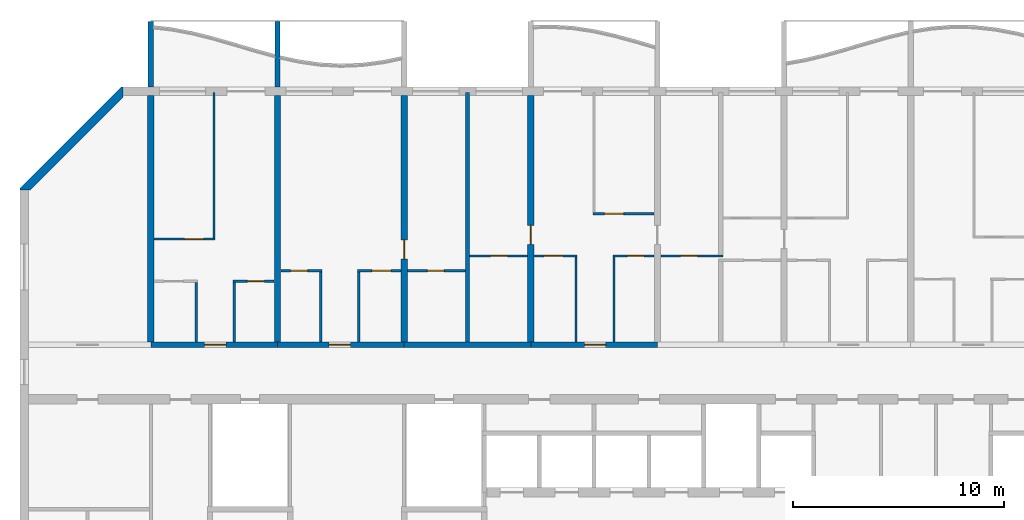
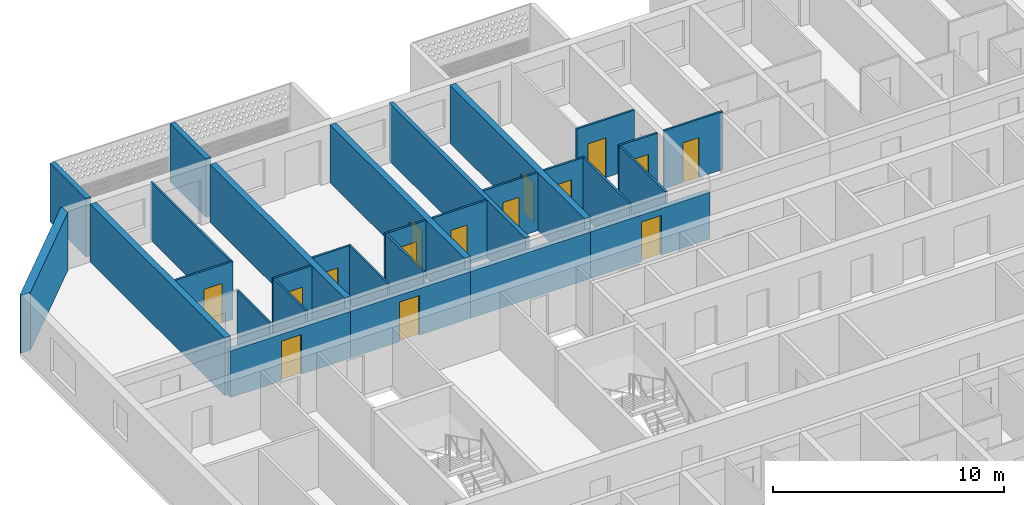
# One storey, part 8 of 31: 29 walls, 15 doors, 15 openings.
"""IFC4 building model written with IfcOpenShell, lengths in metres."""

from ifc_helpers import new_model, si_unit, direction, frame, frame_2d, origin, place, context, subcontext, project, spatial, polyline, rectangle, outline, extrude, source, transform, mapped, material, layer, layer_set, type_object, element, fill, save


model = new_model("IFC4")

# Units and contexts
model_context = context("Model", 3, precision=1e-05, world=origin(), true_north=direction((0.0, 1.0)))
body_context = subcontext(model_context, "Body", "Model", "MODEL_VIEW")
ifc_project = project(units=[si_unit("LENGTHUNIT", "METRE"), si_unit("AREAUNIT", "SQUARE_METRE"), si_unit("VOLUMEUNIT", "CUBIC_METRE"), si_unit("PLANEANGLEUNIT", "RADIAN"), si_unit("MASSUNIT", "GRAM", prefix="KILO")], contexts=[model_context])

# Site, building, storey
site_placement = place(None, origin())
site = spatial("IfcSite", under=ifc_project, at=site_placement, CompositionType="ELEMENT")
building_placement = place(site_placement, origin())
building = spatial("IfcBuilding", under=site, at=building_placement, Name="Poui Terraces", CompositionType="ELEMENT")
storey_placement = place(building_placement, frame((0.0, 0.0, 145.5)))
storey = spatial("IfcBuildingStorey", under=building, at=storey_placement, Name="L40", CompositionType="ELEMENT", Elevation=145.5)

# Wall, opening, door
ifc_material_1 = material(Name="Concrete 65 MPa", Category="concrete")
ifc_layer_1 = layer(ifc_material_1, 0.25)
ifc_layer_set_1 = layer_set([ifc_layer_1], Name="Concrete 65 MPa")
wall_type_1 = type_object("IfcWallType", Name="CORRIDOR WALL 250 65MPa", PredefinedType="SHEAR", material=ifc_layer_set_1)
wall_1_placement = place(storey_placement, frame((18.0, 30.39990234375, 0.0), z_axis=(0.0, 0.0, 1.0), x_axis=(1.0, 0.0, 0.0)))
wall_1 = element("IfcWall", 1, at=wall_1_placement, inside=storey, type_object=wall_type_1, Name="CORRIDOR WALL LINE E BAY 2", PredefinedType="SHEAR", context=body_context, shape_type="SweptSolid", body=[
    extrude(rectangle(XDim=6.0, YDim=0.25, at=frame_2d((3.0, 0.0))), origin(), (0.0, 0.0, 1.0), 2.469970703125),
])
opening_1_placement = place(wall_1_placement, frame((2.550048828125, 0.0, 0.0)))
opening_1 = element("IfcOpeningElement", 2, at=opening_1_placement, cuts=wall_1, Name="Opening FD30S", PredefinedType="OPENING", context=body_context, shape_type="SweptSolid", body=[
    extrude(rectangle(XDim=1.0, YDim=2.10009765625, at=frame_2d((0.5, 1.050048828125))), frame((0.0, 0.135009765625, 0.0), z_axis=(0.0, -1.0, 0.0), x_axis=(1.0, 0.0, 0.0)), (0.0, 0.0, 1.0), 0.27001953125),
])
ifc_material_2 = material(Name="Steel fire door", Category="steel")
door_type_1 = type_object("IfcDoorType", Name="FLAT ENTRANCE DOOR 1000 X 2100", OperationType="NOTDEFINED", PredefinedType="DOOR", material=ifc_material_2)
door_1_placement = place(opening_1_placement, origin())
door_1 = element("IfcDoor", 3, at=door_1_placement, inside=storey, type_object=door_type_1, Name="FLAT ENTRANCE DOOR 035", OperationType="SINGLE_SWING_RIGHT", OverallHeight=2.10009765625, OverallWidth=1.0, PredefinedType="DOOR", context=body_context, shape_type="SweptSolid", body=[
    extrude(rectangle(XDim=1.0, YDim=2.10009765625, at=frame_2d((0.5, 1.050048828125))), frame((0.0, 0.02490234375, 0.0), z_axis=(0.0, -1.0, 0.0), x_axis=(1.0, 0.0, 0.0)), (0.0, 0.0, 1.0), 0.050048828125),
])
fill(opening_1, door_1)

wall_2_placement = place(storey_placement, frame((24.0, 30.39990234375, 0.0), z_axis=(0.0, 0.0, 1.0), x_axis=(1.0, 0.0, 0.0)))
wall_2 = element("IfcWall", 4, at=wall_2_placement, inside=storey, type_object=wall_type_1, Name="CORRIDOR WALL LINE E BAY 3", PredefinedType="SHEAR", context=body_context, shape_type="SweptSolid", body=[
    extrude(rectangle(XDim=6.0, YDim=0.25, at=frame_2d((3.0, 0.0))), origin(), (0.0, 0.0, 1.0), 2.469970703125),
])
opening_2_placement = place(wall_2_placement, frame((2.449951171875, 0.0, 0.0)))
opening_2 = element("IfcOpeningElement", 5, at=opening_2_placement, cuts=wall_2, Name="Opening FD30S", PredefinedType="OPENING", context=body_context, shape_type="SweptSolid", body=[
    extrude(rectangle(XDim=1.0, YDim=2.10009765625, at=frame_2d((0.5, 1.050048828125))), frame((0.0, 0.135009765625, 0.0), z_axis=(0.0, -1.0, 0.0), x_axis=(1.0, 0.0, 0.0)), (0.0, 0.0, 1.0), 0.27001953125),
])
door_2_placement = place(opening_2_placement, origin())
door_2 = element("IfcDoor", 6, at=door_2_placement, inside=storey, type_object=door_type_1, Name="FLAT ENTRANCE DOOR 039", OperationType="SINGLE_SWING_LEFT", OverallHeight=2.10009765625, OverallWidth=1.0, PredefinedType="DOOR", context=body_context, shape_type="SweptSolid", body=[
    extrude(rectangle(XDim=1.0, YDim=2.10009765625, at=frame_2d((0.5, 1.050048828125))), frame((0.0, 0.02490234375, 0.0), z_axis=(0.0, -1.0, 0.0), x_axis=(1.0, 0.0, 0.0)), (0.0, 0.0, 1.0), 0.050048828125),
])
fill(opening_2, door_2)

# Wall
wall_3_placement = place(storey_placement, frame((30.0, 30.39990234375, 0.0), z_axis=(0.0, 0.0, 1.0), x_axis=(1.0, 0.0, 0.0)))
element("IfcWall", 7, at=wall_3_placement, inside=storey, type_object=wall_type_1, Name="CORRIDOR WALL LINE E BAY 4", PredefinedType="SHEAR", context=body_context, shape_type="SweptSolid", body=[
    extrude(rectangle(XDim=6.0, YDim=0.25, at=frame_2d((3.0, 0.0))), origin(), (0.0, 0.0, 1.0), 2.469970703125),
])

# Wall, opening, door
wall_4_placement = place(storey_placement, frame((36.0, 30.39990234375, 0.0), z_axis=(0.0, 0.0, 1.0), x_axis=(1.0, 0.0, 0.0)))
wall_4 = element("IfcWall", 8, at=wall_4_placement, inside=storey, type_object=wall_type_1, Name="CORRIDOR WALL LINE E BAY 5", PredefinedType="SHEAR", context=body_context, shape_type="SweptSolid", body=[
    extrude(rectangle(XDim=6.0, YDim=0.25, at=frame_2d((3.0, 0.0))), origin(), (0.0, 0.0, 1.0), 2.469970703125),
])
opening_3_placement = place(wall_4_placement, frame((2.550048828125, 0.0, 0.0)))
opening_3 = element("IfcOpeningElement", 9, at=opening_3_placement, cuts=wall_4, Name="Opening FD30S", PredefinedType="OPENING", context=body_context, shape_type="SweptSolid", body=[
    extrude(rectangle(XDim=1.0, YDim=2.10009765625, at=frame_2d((0.5, 1.050048828125))), frame((0.0, 0.135009765625, 0.0), z_axis=(0.0, -1.0, 0.0), x_axis=(1.0, 0.0, 0.0)), (0.0, 0.0, 1.0), 0.27001953125),
])
door_3_placement = place(opening_3_placement, origin())
door_3 = element("IfcDoor", 10, at=door_3_placement, inside=storey, type_object=door_type_1, Name="FLAT ENTRANCE DOOR 046", OperationType="SINGLE_SWING_RIGHT", OverallHeight=2.10009765625, OverallWidth=1.0, PredefinedType="DOOR", context=body_context, shape_type="SweptSolid", body=[
    extrude(rectangle(XDim=1.0, YDim=2.10009765625, at=frame_2d((0.5, 1.050048828125))), frame((0.0, 0.02490234375, 0.0), z_axis=(0.0, -1.0, 0.0), x_axis=(1.0, 0.0, 0.0)), (0.0, 0.0, 1.0), 0.050048828125),
])
fill(opening_3, door_3)

# Walls
ifc_layer_2 = layer(ifc_material_1, 0.300048828125)
ifc_layer_set_2 = layer_set([ifc_layer_2], Name="Concrete 65 MPa")
wall_type_2 = type_object("IfcWallType", Name="CROSS WALL 300 65MPa", PredefinedType="SHEAR", material=ifc_layer_set_2)
for number, where, z_axis, x_axis, name in (
    (11, (18.0, 30.52490234375, 0.0), (0.0, 0.0, 1.0), (0.0, 1.0, 0.0), "CROSS WALL LINE 4 NORTH"),
    (12, (24.0, 30.52490234375, 0.0), (0.0, 0.0, 1.0), (0.0, 1.0, 0.0), "CROSS WALL LINE 5 NORTH"),
):
    element("IfcWall", number, at=place(storey_placement, frame(where, z_axis=z_axis, x_axis=x_axis)), inside=storey, type_object=wall_type_2, Name=name, PredefinedType="SHEAR", context=body_context, shape_type="SweptSolid", body=[
        extrude(rectangle(XDim=11.675048828125, YDim=0.300048828125, at=frame_2d((5.83740234375, 0.0))), origin(), (0.0, 0.0, 1.0), 3.070068359375),
    ])

# Wall, opening, door
wall_5_placement = place(storey_placement, frame((30.0, 30.52490234375, 0.0), z_axis=(0.0, 0.0, 1.0), x_axis=(0.0, 1.0, 0.0)))
wall_5 = element("IfcWall", 13, at=wall_5_placement, inside=storey, type_object=wall_type_2, Name="CROSS WALL LINE 6 NORTH", PredefinedType="SHEAR", context=body_context, shape_type="SweptSolid", body=[
    extrude(rectangle(XDim=11.675048828125, YDim=0.300048828125, at=frame_2d((5.83740234375, 0.0))), origin(), (0.0, 0.0, 1.0), 3.070068359375),
])
opening_4_placement = place(wall_5_placement, frame((3.925048828125, 0.0, 0.0)))
opening_4 = element("IfcOpeningElement", 14, at=opening_4_placement, cuts=wall_5, Name="Opening D90", PredefinedType="OPENING", context=body_context, shape_type="SweptSolid", body=[
    extrude(rectangle(XDim=0.89990234375, YDim=2.10009765625, at=frame_2d((0.449951171875, 1.050048828125))), frame((0.0, 0.16015625, 0.0), z_axis=(0.0, -1.0, 0.0), x_axis=(1.0, 0.0, 0.0)), (0.0, 0.0, 1.0), 0.320068359375),
])
ifc_material_3 = material(Name="Solid core timber door", Category="wood")
door_type_2 = type_object("IfcDoorType", Name="INTERNAL DOOR 900 X 2100", OperationType="NOTDEFINED", PredefinedType="DOOR", material=ifc_material_3)
door_4_placement = place(opening_4_placement, frame((0.89990234375, 0.0, 0.0), z_axis=(0.0, 0.0, 1.0), x_axis=(-1.0, 0.0, 0.0)))
door_4 = element("IfcDoor", 15, at=door_4_placement, inside=storey, type_object=door_type_2, Name="INTERNAL DOOR 041", OperationType="SINGLE_SWING_RIGHT", OverallHeight=2.10009765625, OverallWidth=0.89990234375, PredefinedType="DOOR", context=body_context, shape_type="SweptSolid", body=[
    extrude(rectangle(XDim=0.89990234375, YDim=2.10009765625, at=frame_2d((0.449951171875, 1.050048828125))), frame((0.0, 0.02490234375, 0.0), z_axis=(0.0, -1.0, 0.0), x_axis=(1.0, 0.0, 0.0)), (0.0, 0.0, 1.0), 0.050048828125),
])
fill(opening_4, door_4)

wall_6_placement = place(storey_placement, frame((36.0, 30.52490234375, 0.0), z_axis=(0.0, 0.0, 1.0), x_axis=(0.0, 1.0, 0.0)))
wall_6 = element("IfcWall", 16, at=wall_6_placement, inside=storey, type_object=wall_type_2, Name="CROSS WALL LINE 7 NORTH", PredefinedType="SHEAR", context=body_context, shape_type="SweptSolid", body=[
    extrude(rectangle(XDim=11.675048828125, YDim=0.300048828125, at=frame_2d((5.83740234375, 0.0))), origin(), (0.0, 0.0, 1.0), 3.070068359375),
])
opening_5_placement = place(wall_6_placement, frame((4.625, 0.0, 0.0)))
opening_5 = element("IfcOpeningElement", 17, at=opening_5_placement, cuts=wall_6, Name="Opening D90", PredefinedType="OPENING", context=body_context, shape_type="SweptSolid", body=[
    extrude(rectangle(XDim=0.89990234375, YDim=2.10009765625, at=frame_2d((0.449951171875, 1.050048828125))), frame((0.0, 0.16015625, 0.0), z_axis=(0.0, -1.0, 0.0), x_axis=(1.0, 0.0, 0.0)), (0.0, 0.0, 1.0), 0.320068359375),
])
door_5_placement = place(opening_5_placement, origin())
door_5 = element("IfcDoor", 18, at=door_5_placement, inside=storey, type_object=door_type_2, Name="INTERNAL DOOR 044", OperationType="SINGLE_SWING_LEFT", OverallHeight=2.10009765625, OverallWidth=0.89990234375, PredefinedType="DOOR", context=body_context, shape_type="SweptSolid", body=[
    extrude(rectangle(XDim=0.89990234375, YDim=2.10009765625, at=frame_2d((0.449951171875, 1.050048828125))), frame((0.0, 0.02490234375, 0.0), z_axis=(0.0, -1.0, 0.0), x_axis=(1.0, 0.0, 0.0)), (0.0, 0.0, 1.0), 0.050048828125),
])
fill(opening_5, door_5)

ifc_material_4 = material(Name="Plasterboard partition")
ifc_layer_3 = layer(ifc_material_4, 0.10009765625)
ifc_layer_set_3 = layer_set([ifc_layer_3], Name="Plasterboard partition")
wall_type_3 = type_object("IfcWallType", Name="FLAT PARTITION 100", PredefinedType="PARTITIONING", material=ifc_layer_set_3)
wall_7_placement = place(storey_placement, frame((21.89990234375, 33.39990234375, 0.0), z_axis=(0.0, 0.0, 1.0), x_axis=(1.0, 0.0, 0.0)))
wall_7 = element("IfcWall", 19, at=wall_7_placement, inside=storey, type_object=wall_type_3, Name="FLAT PARTITION 100", PredefinedType="PARTITIONING", context=body_context, shape_type="SweptSolid", body=[
    extrude(rectangle(XDim=1.940185546875, YDim=0.10009765625, at=frame_2d((0.97021484375, 0.0))), origin(), (0.0, 0.0, 1.0), 3.070068359375),
])
opening_6_placement = place(wall_7_placement, frame((0.675048828125, 0.0, 0.0)))
opening_6 = element("IfcOpeningElement", 20, at=opening_6_placement, cuts=wall_7, Name="Opening D80", PredefinedType="OPENING", context=body_context, shape_type="SweptSolid", body=[
    extrude(rectangle(XDim=0.800048828125, YDim=2.10009765625, at=frame_2d((0.39990234375, 1.050048828125))), frame((0.0, 0.06005859375, 0.0), z_axis=(0.0, -1.0, 0.0), x_axis=(1.0, 0.0, 0.0)), (0.0, 0.0, 1.0), 0.1201171875),
])
door_type_3 = type_object("IfcDoorType", Name="BATHROOM, LAUNDRY AND STORE DOOR 800 X 2100", OperationType="NOTDEFINED", PredefinedType="DOOR", material=ifc_material_3)
door_6_placement = place(opening_6_placement, frame((0.800048828125, 0.0, 0.0), z_axis=(0.0, 0.0, 1.0), x_axis=(-1.0, 0.0, 0.0)))
door_6 = element("IfcDoor", 21, at=door_6_placement, inside=storey, type_object=door_type_3, Name="BATHROOM, LAUNDRY AND STORE DOOR 036", OperationType="SINGLE_SWING_RIGHT", OverallHeight=2.10009765625, OverallWidth=0.800048828125, PredefinedType="DOOR", context=body_context, shape_type="SweptSolid", body=[
    extrude(rectangle(XDim=0.800048828125, YDim=2.10009765625, at=frame_2d((0.39990234375, 1.050048828125))), frame((0.0, 0.02490234375, 0.0), z_axis=(0.0, -1.0, 0.0), x_axis=(1.0, 0.0, 0.0)), (0.0, 0.0, 1.0), 0.050048828125),
])
fill(opening_6, door_6)

wall_8_placement = place(storey_placement, frame((24.159912109375, 33.89990234375, 0.0), z_axis=(0.0, 0.0, 1.0), x_axis=(1.0, 0.0, 0.0)))
wall_8 = element("IfcWall", 22, at=wall_8_placement, inside=storey, type_object=wall_type_3, Name="FLAT PARTITION 100", PredefinedType="PARTITIONING", context=body_context, shape_type="SweptSolid", body=[
    extrude(rectangle(XDim=1.940185546875, YDim=0.10009765625, at=frame_2d((0.97021484375, 0.0))), origin(), (0.0, 0.0, 1.0), 3.070068359375),
])
opening_7_placement = place(wall_8_placement, frame((0.465087890625, 0.0, 0.0)))
opening_7 = element("IfcOpeningElement", 23, at=opening_7_placement, cuts=wall_8, Name="Opening D80", PredefinedType="OPENING", context=body_context, shape_type="SweptSolid", body=[
    extrude(rectangle(XDim=0.800048828125, YDim=2.10009765625, at=frame_2d((0.39990234375, 1.050048828125))), frame((0.0, 0.06005859375, 0.0), z_axis=(0.0, -1.0, 0.0), x_axis=(1.0, 0.0, 0.0)), (0.0, 0.0, 1.0), 0.1201171875),
])
door_7_placement = place(opening_7_placement, frame((0.800048828125, 0.0, 0.0), z_axis=(0.0, 0.0, 1.0), x_axis=(-1.0, 0.0, 0.0)))
door_7 = element("IfcDoor", 24, at=door_7_placement, inside=storey, type_object=door_type_3, Name="BATHROOM, LAUNDRY AND STORE DOOR 038", OperationType="SINGLE_SWING_LEFT", OverallHeight=2.10009765625, OverallWidth=0.800048828125, PredefinedType="DOOR", context=body_context, shape_type="SweptSolid", body=[
    extrude(rectangle(XDim=0.800048828125, YDim=2.10009765625, at=frame_2d((0.39990234375, 1.050048828125))), frame((0.0, 0.02490234375, 0.0), z_axis=(0.0, -1.0, 0.0), x_axis=(1.0, 0.0, 0.0)), (0.0, 0.0, 1.0), 0.050048828125),
])
fill(opening_7, door_7)

wall_9_placement = place(storey_placement, frame((27.800048828125, 33.89990234375, 0.0), z_axis=(0.0, 0.0, 1.0), x_axis=(1.0, 0.0, 0.0)))
wall_9 = element("IfcWall", 25, at=wall_9_placement, inside=storey, type_object=wall_type_3, Name="FLAT PARTITION 100", PredefinedType="PARTITIONING", context=body_context, shape_type="SweptSolid", body=[
    extrude(rectangle(XDim=2.0400390625, YDim=0.10009765625, at=frame_2d((1.02001953125, 0.0))), origin(), (0.0, 0.0, 1.0), 3.070068359375),
])
opening_8_placement = place(wall_9_placement, frame((0.675048828125, 0.0, 0.0)))
opening_8 = element("IfcOpeningElement", 26, at=opening_8_placement, cuts=wall_9, Name="Opening D90", PredefinedType="OPENING", context=body_context, shape_type="SweptSolid", body=[
    extrude(rectangle(XDim=0.89990234375, YDim=2.10009765625, at=frame_2d((0.449951171875, 1.050048828125))), frame((0.0, 0.06005859375, 0.0), z_axis=(0.0, -1.0, 0.0), x_axis=(1.0, 0.0, 0.0)), (0.0, 0.0, 1.0), 0.1201171875),
])
door_8_placement = place(opening_8_placement, frame((0.89990234375, 0.0, 0.0), z_axis=(0.0, 0.0, 1.0), x_axis=(-1.0, 0.0, 0.0)))
door_8 = element("IfcDoor", 27, at=door_8_placement, inside=storey, type_object=door_type_2, Name="INTERNAL DOOR 040", OperationType="SINGLE_SWING_RIGHT", OverallHeight=2.10009765625, OverallWidth=0.89990234375, PredefinedType="DOOR", context=body_context, shape_type="SweptSolid", body=[
    extrude(rectangle(XDim=0.89990234375, YDim=2.10009765625, at=frame_2d((0.449951171875, 1.050048828125))), frame((0.0, 0.02490234375, 0.0), z_axis=(0.0, -1.0, 0.0), x_axis=(1.0, 0.0, 0.0)), (0.0, 0.0, 1.0), 0.050048828125),
])
fill(opening_8, door_8)

wall_10_placement = place(storey_placement, frame((30.159912109375, 33.89990234375, 0.0), z_axis=(0.0, 0.0, 1.0), x_axis=(1.0, 0.0, 0.0)))
wall_10 = element("IfcWall", 28, at=wall_10_placement, inside=storey, type_object=wall_type_3, Name="FLAT PARTITION 100", PredefinedType="PARTITIONING", context=body_context, shape_type="SweptSolid", body=[
    extrude(rectangle(XDim=2.739990234375, YDim=0.10009765625, at=frame_2d((1.3701171875, 0.0))), origin(), (0.0, 0.0, 1.0), 3.070068359375),
])
opening_9_placement = place(wall_10_placement, frame((0.93994140625, 0.0, 0.0)))
opening_9 = element("IfcOpeningElement", 29, at=opening_9_placement, cuts=wall_10, Name="Opening D80", PredefinedType="OPENING", context=body_context, shape_type="SweptSolid", body=[
    extrude(rectangle(XDim=0.800048828125, YDim=2.10009765625, at=frame_2d((0.39990234375, 1.050048828125))), frame((0.0, 0.06005859375, 0.0), z_axis=(0.0, -1.0, 0.0), x_axis=(1.0, 0.0, 0.0)), (0.0, 0.0, 1.0), 0.1201171875),
])
door_9_placement = place(opening_9_placement, frame((0.800048828125, 0.0, 0.0), z_axis=(0.0, 0.0, 1.0), x_axis=(-1.0, 0.0, 0.0)))
door_9 = element("IfcDoor", 30, at=door_9_placement, inside=storey, type_object=door_type_3, Name="BATHROOM, LAUNDRY AND STORE DOOR 037", OperationType="SINGLE_SWING_RIGHT", OverallHeight=2.10009765625, OverallWidth=0.800048828125, PredefinedType="DOOR", context=body_context, shape_type="SweptSolid", body=[
    extrude(rectangle(XDim=0.800048828125, YDim=2.10009765625, at=frame_2d((0.39990234375, 1.050048828125))), frame((0.0, 0.02490234375, 0.0), z_axis=(0.0, -1.0, 0.0), x_axis=(1.0, 0.0, 0.0)), (0.0, 0.0, 1.0), 0.050048828125),
])
fill(opening_9, door_9)

wall_11_placement = place(storey_placement, frame((33.10009765625, 34.60009765625, 0.0), z_axis=(0.0, 0.0, 1.0), x_axis=(1.0, 0.0, 0.0)))
wall_11 = element("IfcWall", 31, at=wall_11_placement, inside=storey, type_object=wall_type_3, Name="FLAT PARTITION 100", PredefinedType="PARTITIONING", context=body_context, shape_type="SweptSolid", body=[
    extrude(rectangle(XDim=2.739990234375, YDim=0.10009765625, at=frame_2d((1.3701171875, 0.0))), origin(), (0.0, 0.0, 1.0), 3.070068359375),
])
opening_10_placement = place(wall_11_placement, frame((1.0, 0.0, 0.0)))
opening_10 = element("IfcOpeningElement", 32, at=opening_10_placement, cuts=wall_11, Name="Opening D80", PredefinedType="OPENING", context=body_context, shape_type="SweptSolid", body=[
    extrude(rectangle(XDim=0.800048828125, YDim=2.10009765625, at=frame_2d((0.39990234375, 1.050048828125))), frame((0.0, 0.06005859375, 0.0), z_axis=(0.0, -1.0, 0.0), x_axis=(1.0, 0.0, 0.0)), (0.0, 0.0, 1.0), 0.1201171875),
])
door_10_placement = place(opening_10_placement, frame((0.800048828125, 0.0, 0.0), z_axis=(0.0, 0.0, 1.0), x_axis=(-1.0, 0.0, 0.0)))
door_10 = element("IfcDoor", 33, at=door_10_placement, inside=storey, type_object=door_type_3, Name="BATHROOM, LAUNDRY AND STORE DOOR 042", OperationType="SINGLE_SWING_LEFT", OverallHeight=2.10009765625, OverallWidth=0.800048828125, PredefinedType="DOOR", context=body_context, shape_type="SweptSolid", body=[
    extrude(rectangle(XDim=0.800048828125, YDim=2.10009765625, at=frame_2d((0.39990234375, 1.050048828125))), frame((0.0, 0.02490234375, 0.0), z_axis=(0.0, -1.0, 0.0), x_axis=(1.0, 0.0, 0.0)), (0.0, 0.0, 1.0), 0.050048828125),
])
fill(opening_10, door_10)

wall_12_placement = place(storey_placement, frame((36.159912109375, 34.60009765625, 0.0), z_axis=(0.0, 0.0, 1.0), x_axis=(1.0, 0.0, 0.0)))
wall_12 = element("IfcWall", 34, at=wall_12_placement, inside=storey, type_object=wall_type_3, Name="FLAT PARTITION 100", PredefinedType="PARTITIONING", context=body_context, shape_type="SweptSolid", body=[
    extrude(rectangle(XDim=2.0400390625, YDim=0.10009765625, at=frame_2d((1.02001953125, 0.0))), origin(), (0.0, 0.0, 1.0), 3.070068359375),
])
opening_11_placement = place(wall_12_placement, frame((0.465087890625, 0.0, 0.0)))
opening_11 = element("IfcOpeningElement", 35, at=opening_11_placement, cuts=wall_12, Name="Opening D90", PredefinedType="OPENING", context=body_context, shape_type="SweptSolid", body=[
    extrude(rectangle(XDim=0.89990234375, YDim=2.10009765625, at=frame_2d((0.449951171875, 1.050048828125))), frame((0.0, 0.06005859375, 0.0), z_axis=(0.0, -1.0, 0.0), x_axis=(1.0, 0.0, 0.0)), (0.0, 0.0, 1.0), 0.1201171875),
])
door_11_placement = place(opening_11_placement, frame((0.89990234375, 0.0, 0.0), z_axis=(0.0, 0.0, 1.0), x_axis=(-1.0, 0.0, 0.0)))
door_11 = element("IfcDoor", 36, at=door_11_placement, inside=storey, type_object=door_type_2, Name="INTERNAL DOOR 045", OperationType="SINGLE_SWING_LEFT", OverallHeight=2.10009765625, OverallWidth=0.89990234375, PredefinedType="DOOR", context=body_context, shape_type="SweptSolid", body=[
    extrude(rectangle(XDim=0.89990234375, YDim=2.10009765625, at=frame_2d((0.449951171875, 1.050048828125))), frame((0.0, 0.02490234375, 0.0), z_axis=(0.0, -1.0, 0.0), x_axis=(1.0, 0.0, 0.0)), (0.0, 0.0, 1.0), 0.050048828125),
])
fill(opening_11, door_11)

wall_13_placement = place(storey_placement, frame((39.89990234375, 34.60009765625, 0.0), z_axis=(0.0, 0.0, 1.0), x_axis=(1.0, 0.0, 0.0)))
wall_13 = element("IfcWall", 37, at=wall_13_placement, inside=storey, type_object=wall_type_3, Name="FLAT PARTITION 100", PredefinedType="PARTITIONING", context=body_context, shape_type="SweptSolid", body=[
    extrude(rectangle(XDim=1.940185546875, YDim=0.10009765625, at=frame_2d((0.97021484375, 0.0))), origin(), (0.0, 0.0, 1.0), 3.070068359375),
])
opening_12_placement = place(wall_13_placement, frame((0.675048828125, 0.0, 0.0)))
opening_12 = element("IfcOpeningElement", 38, at=opening_12_placement, cuts=wall_13, Name="Opening D80", PredefinedType="OPENING", context=body_context, shape_type="SweptSolid", body=[
    extrude(rectangle(XDim=0.800048828125, YDim=2.10009765625, at=frame_2d((0.39990234375, 1.050048828125))), frame((0.0, 0.06005859375, 0.0), z_axis=(0.0, -1.0, 0.0), x_axis=(1.0, 0.0, 0.0)), (0.0, 0.0, 1.0), 0.1201171875),
])
door_12_placement = place(opening_12_placement, frame((0.800048828125, 0.0, 0.0), z_axis=(0.0, 0.0, 1.0), x_axis=(-1.0, 0.0, 0.0)))
door_12 = element("IfcDoor", 39, at=door_12_placement, inside=storey, type_object=door_type_3, Name="BATHROOM, LAUNDRY AND STORE DOOR 048", OperationType="SINGLE_SWING_RIGHT", OverallHeight=2.10009765625, OverallWidth=0.800048828125, PredefinedType="DOOR", context=body_context, shape_type="SweptSolid", body=[
    extrude(rectangle(XDim=0.800048828125, YDim=2.10009765625, at=frame_2d((0.39990234375, 1.050048828125))), frame((0.0, 0.02490234375, 0.0), z_axis=(0.0, -1.0, 0.0), x_axis=(1.0, 0.0, 0.0)), (0.0, 0.0, 1.0), 0.050048828125),
])
fill(opening_12, door_12)

wall_14_placement = place(storey_placement, frame((42.159912109375, 34.60009765625, 0.0), z_axis=(0.0, 0.0, 1.0), x_axis=(1.0, 0.0, 0.0)))
wall_14 = element("IfcWall", 40, at=wall_14_placement, inside=storey, type_object=wall_type_3, Name="FLAT PARTITION 100", PredefinedType="PARTITIONING", context=body_context, shape_type="SweptSolid", body=[
    extrude(rectangle(XDim=2.940185546875, YDim=0.10009765625, at=frame_2d((1.47021484375, 0.0))), origin(), (0.0, 0.0, 1.0), 3.070068359375),
])
opening_13_placement = place(wall_14_placement, frame((0.93994140625, 0.0, 0.0)))
opening_13 = element("IfcOpeningElement", 41, at=opening_13_placement, cuts=wall_14, Name="Opening D80", PredefinedType="OPENING", context=body_context, shape_type="SweptSolid", body=[
    extrude(rectangle(XDim=0.800048828125, YDim=2.10009765625, at=frame_2d((0.39990234375, 1.050048828125))), frame((0.0, 0.06005859375, 0.0), z_axis=(0.0, -1.0, 0.0), x_axis=(1.0, 0.0, 0.0)), (0.0, 0.0, 1.0), 0.1201171875),
])
door_13_placement = place(opening_13_placement, frame((0.800048828125, 0.0, 0.0), z_axis=(0.0, 0.0, 1.0), x_axis=(-1.0, 0.0, 0.0)))
door_13 = element("IfcDoor", 42, at=door_13_placement, inside=storey, type_object=door_type_3, Name="BATHROOM, LAUNDRY AND STORE DOOR 043", OperationType="SINGLE_SWING_LEFT", OverallHeight=2.10009765625, OverallWidth=0.800048828125, PredefinedType="DOOR", context=body_context, shape_type="SweptSolid", body=[
    extrude(rectangle(XDim=0.800048828125, YDim=2.10009765625, at=frame_2d((0.39990234375, 1.050048828125))), frame((0.0, 0.02490234375, 0.0), z_axis=(0.0, -1.0, 0.0), x_axis=(1.0, 0.0, 0.0)), (0.0, 0.0, 1.0), 0.050048828125),
])
fill(opening_13, door_13)

wall_15_placement = place(storey_placement, frame((18.159912109375, 35.39990234375, 0.0), z_axis=(0.0, 0.0, 1.0), x_axis=(1.0, 0.0, 0.0)))
wall_15 = element("IfcWall", 43, at=wall_15_placement, inside=storey, type_object=wall_type_3, Name="FLAT PARTITION 100", PredefinedType="PARTITIONING", context=body_context, shape_type="SweptSolid", body=[
    extrude(rectangle(XDim=2.89013671875, YDim=0.10009765625, at=frame_2d((1.445068359375, 0.0))), origin(), (0.0, 0.0, 1.0), 3.070068359375),
])
opening_14_placement = place(wall_15_placement, frame((1.43994140625, 0.0, 0.0)))
opening_14 = element("IfcOpeningElement", 44, at=opening_14_placement, cuts=wall_15, Name="Opening D90", PredefinedType="OPENING", context=body_context, shape_type="SweptSolid", body=[
    extrude(rectangle(XDim=0.89990234375, YDim=2.10009765625, at=frame_2d((0.449951171875, 1.050048828125))), frame((0.0, 0.06005859375, 0.0), z_axis=(0.0, -1.0, 0.0), x_axis=(1.0, 0.0, 0.0)), (0.0, 0.0, 1.0), 0.1201171875),
])
door_14_placement = place(opening_14_placement, frame((0.89990234375, 0.0, 0.0), z_axis=(0.0, 0.0, 1.0), x_axis=(-1.0, 0.0, 0.0)))
door_14 = element("IfcDoor", 45, at=door_14_placement, inside=storey, type_object=door_type_2, Name="INTERNAL DOOR 034", OperationType="SINGLE_SWING_RIGHT", OverallHeight=2.10009765625, OverallWidth=0.89990234375, PredefinedType="DOOR", context=body_context, shape_type="SweptSolid", body=[
    extrude(rectangle(XDim=0.89990234375, YDim=2.10009765625, at=frame_2d((0.449951171875, 1.050048828125))), frame((0.0, 0.02490234375, 0.0), z_axis=(0.0, -1.0, 0.0), x_axis=(1.0, 0.0, 0.0)), (0.0, 0.0, 1.0), 0.050048828125),
])
fill(opening_14, door_14)

wall_16_placement = place(storey_placement, frame((38.949951171875, 36.60009765625, 0.0), z_axis=(0.0, 0.0, 1.0), x_axis=(1.0, 0.0, 0.0)))
wall_16 = element("IfcWall", 46, at=wall_16_placement, inside=storey, type_object=wall_type_3, Name="FLAT PARTITION 100", PredefinedType="PARTITIONING", context=body_context, shape_type="SweptSolid", body=[
    extrude(rectangle(XDim=2.89013671875, YDim=0.10009765625, at=frame_2d((1.445068359375, 0.0))), origin(), (0.0, 0.0, 1.0), 3.070068359375),
])
opening_15_placement = place(wall_16_placement, frame((0.550048828125, 0.0, 0.0)))
opening_15 = element("IfcOpeningElement", 47, at=opening_15_placement, cuts=wall_16, Name="Opening D90", PredefinedType="OPENING", context=body_context, shape_type="SweptSolid", body=[
    extrude(rectangle(XDim=0.89990234375, YDim=2.10009765625, at=frame_2d((0.449951171875, 1.050048828125))), frame((0.0, 0.06005859375, 0.0), z_axis=(0.0, -1.0, 0.0), x_axis=(1.0, 0.0, 0.0)), (0.0, 0.0, 1.0), 0.1201171875),
])
door_15_placement = place(opening_15_placement, frame((0.89990234375, 0.0, 0.0), z_axis=(0.0, 0.0, 1.0), x_axis=(-1.0, 0.0, 0.0)))
door_15 = element("IfcDoor", 48, at=door_15_placement, inside=storey, type_object=door_type_2, Name="INTERNAL DOOR 047", OperationType="SINGLE_SWING_LEFT", OverallHeight=2.10009765625, OverallWidth=0.89990234375, PredefinedType="DOOR", context=body_context, shape_type="SweptSolid", body=[
    extrude(rectangle(XDim=0.89990234375, YDim=2.10009765625, at=frame_2d((0.449951171875, 1.050048828125))), frame((0.0, 0.02490234375, 0.0), z_axis=(0.0, -1.0, 0.0), x_axis=(1.0, 0.0, 0.0)), (0.0, 0.0, 1.0), 0.050048828125),
])
fill(opening_15, door_15)

# Walls
wall_17_placement = place(storey_placement, frame((20.14990234375, 30.534912109375, 0.0), z_axis=(0.0, 0.0, 1.0), x_axis=(0.0, 1.0, 0.0)))
element("IfcWall", 49, at=wall_17_placement, inside=storey, type_object=wall_type_3, Name="FLAT PARTITION 100", PredefinedType="PARTITIONING", context=body_context, shape_type="SweptSolid", body=[
    extrude(rectangle(XDim=2.815185546875, YDim=0.10009765625, at=frame_2d((1.40771484375, 0.0))), origin(), (0.0, 0.0, 1.0), 3.070068359375),
])
wall_18_placement = place(storey_placement, frame((21.0, 35.449951171875, 0.0), z_axis=(0.0, 0.0, 1.0), x_axis=(0.0, 1.0, 0.0)))
element("IfcWall", 50, at=wall_18_placement, inside=storey, type_object=wall_type_3, Name="FLAT PARTITION 100", PredefinedType="PARTITIONING", context=body_context, shape_type="SweptSolid", body=[
    extrude(rectangle(XDim=6.89013671875, YDim=0.10009765625, at=frame_2d((3.445068359375, 0.0))), origin(), (0.0, 0.0, 1.0), 3.070068359375),
])
wall_19_placement = place(storey_placement, frame((21.949951171875, 30.534912109375, 0.0), z_axis=(0.0, 0.0, 1.0), x_axis=(0.0, 1.0, 0.0)))
element("IfcWall", 51, at=wall_19_placement, inside=storey, type_object=wall_type_3, Name="FLAT PARTITION 100", PredefinedType="PARTITIONING", context=body_context, shape_type="SweptSolid", body=[
    extrude(rectangle(XDim=2.815185546875, YDim=0.10009765625, at=frame_2d((1.40771484375, 0.0))), origin(), (0.0, 0.0, 1.0), 3.070068359375),
])
for number, where, z_axis, x_axis, name in (
    (52, (26.050048828125, 30.534912109375, 0.0), (0.0, 0.0, 1.0), (0.0, 1.0, 0.0), "FLAT PARTITION 100"),
    (53, (27.85009765625, 30.534912109375, 0.0), (0.0, 0.0, 1.0), (0.0, 1.0, 0.0), "FLAT PARTITION 100"),
):
    element("IfcWall", number, at=place(storey_placement, frame(where, z_axis=z_axis, x_axis=x_axis)), inside=storey, type_object=wall_type_3, Name=name, PredefinedType="PARTITIONING", context=body_context, shape_type="SweptSolid", body=[
        extrude(rectangle(XDim=3.315185546875, YDim=0.10009765625, at=frame_2d((1.65771484375, 0.0))), origin(), (0.0, 0.0, 1.0), 3.070068359375),
    ])
for number, where, z_axis, x_axis, name in (
    (54, (38.14990234375, 30.534912109375, 0.0), (0.0, 0.0, 1.0), (0.0, 1.0, 0.0), "FLAT PARTITION 100"),
    (55, (39.949951171875, 30.534912109375, 0.0), (0.0, 0.0, 1.0), (0.0, 1.0, 0.0), "FLAT PARTITION 100"),
):
    element("IfcWall", number, at=place(storey_placement, frame(where, z_axis=z_axis, x_axis=x_axis)), inside=storey, type_object=wall_type_3, Name=name, PredefinedType="PARTITIONING", context=body_context, shape_type="SweptSolid", body=[
        extrude(rectangle(XDim=4.01513671875, YDim=0.10009765625, at=frame_2d((2.007568359375, 0.0))), origin(), (0.0, 0.0, 1.0), 3.070068359375),
    ])
ifc_material_5 = material(Name="Fire-rated masonry wall", Category="masonry")
ifc_layer_4 = layer(ifc_material_5, 0.199951171875)
ifc_layer_set_4 = layer_set([ifc_layer_4], Name="Fire-rated masonry wall")
wall_type_4 = type_object("IfcWallType", Name="FLAT PARTY WALL 200", PredefinedType="PARTITIONING", material=ifc_layer_set_4)
wall_20_placement = place(storey_placement, frame((33.0, 30.534912109375, 0.0), z_axis=(0.0, 0.0, 1.0), x_axis=(0.0, 1.0, 0.0)))
element("IfcWall", 56, at=wall_20_placement, inside=storey, type_object=wall_type_4, Name="FLAT PARTY WALL 200", PredefinedType="PARTITIONING", context=body_context, shape_type="SweptSolid", body=[
    extrude(rectangle(XDim=11.80517578125, YDim=0.199951171875, at=frame_2d((5.902587890625, 0.0))), origin(), (0.0, 0.0, 1.0), 3.070068359375),
])
ifc_material_6 = material(Name="Precast concrete 40 MPa", Category="concrete")
ifc_layer_5 = layer(ifc_material_6, 0.39990234375)
ifc_layer_set_5 = layer_set([ifc_layer_5], Name="Precast concrete 40 MPa")
wall_type_5 = type_object("IfcWallType", Name="TERRACOTTA CLAD CHAMFER WALL 400", PredefinedType="STANDARD", material=ifc_layer_set_5)
wall_21_placement = place(storey_placement, origin())
element("IfcWall", 57, at=wall_21_placement, inside=storey, type_object=wall_type_5, Name="CHAMFER WALL CH05", PredefinedType="STANDARD", context=body_context, shape_type="SweptSolid", body=[
    extrude(outline(polyline([(16.682861328125, 42.60009765625), (16.60009765625, 42.60009765625), (11.800048828125, 37.800048828125), (11.800048828125, 37.71728515625), (12.28271484375, 37.71728515625), (16.682861328125, 42.1171875), (16.682861328125, 42.60009765625)])), origin(), (0.0, 0.0, 1.0), 3.070068359375),
])
ifc_layer_6 = layer(ifc_material_6, 0.25)
ifc_layer_set_6 = layer_set([ifc_layer_6], Name="Precast concrete 40 MPa")
wall_type_6 = type_object("IfcWallType", Name="BALCONY FIN 250", PredefinedType="STANDARD", material=ifc_layer_set_6)
shared_shape = source(origin(), body_context, "Body", "SweptSolid", [
    extrude(outline(polyline([(0.0, 0.0), (0.25, 0.0), (0.25, 3.099853515625), (0.0, 3.099853515625), (0.0, 0.0)])), origin(), (0.0, 0.0, 1.0), 3.10009765625),
])
for number, where, name in (
    (58, (17.875, 42.60009765625, 0.0), "BALCONY FIN"),
    (59, (23.875, 42.60009765625, 0.0), "BALCONY FIN"),
):
    element("IfcWall", number, at=place(storey_placement, frame(where)), inside=storey, type_object=wall_type_6, Name=name, PredefinedType="STANDARD", context=body_context, shape_type="MappedRepresentation", body=[
        mapped(shared_shape, transform((0.0, 0.0, 0.0))),
    ])

save(model, "model.ifc")
